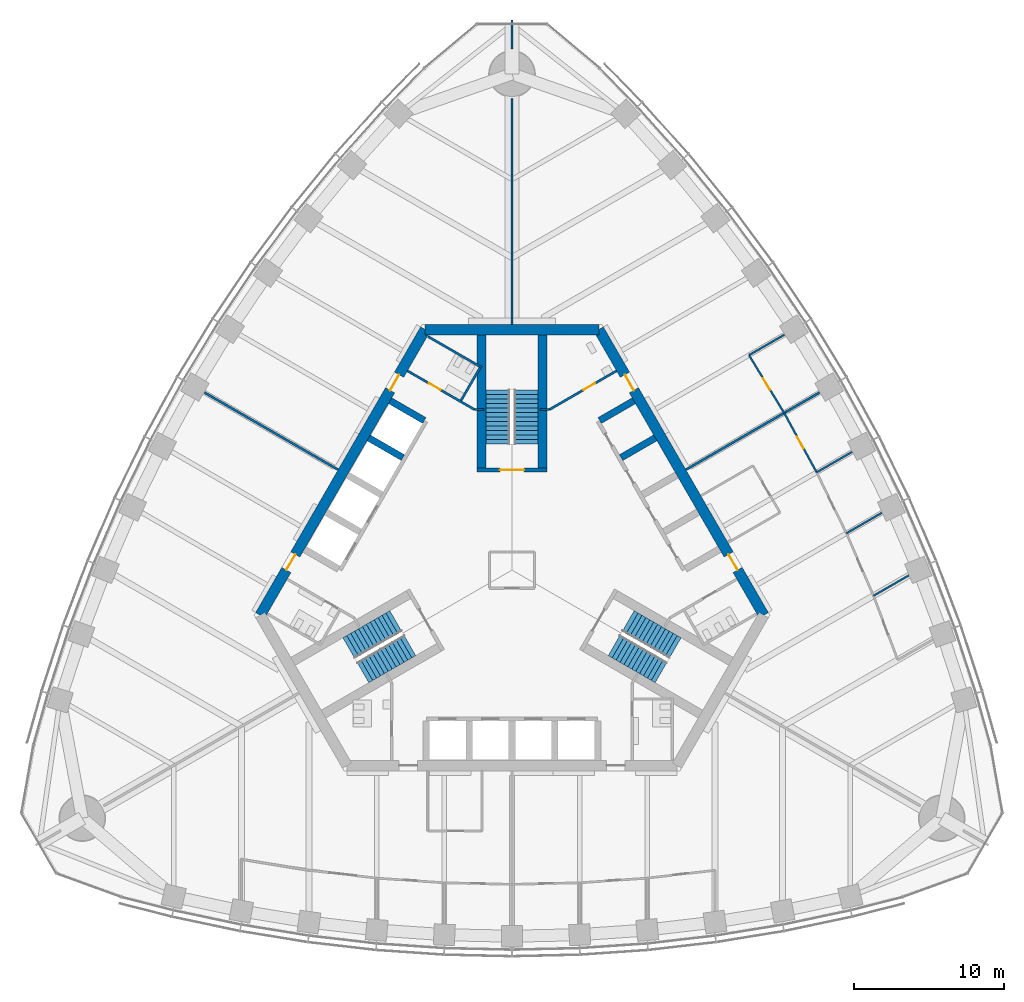
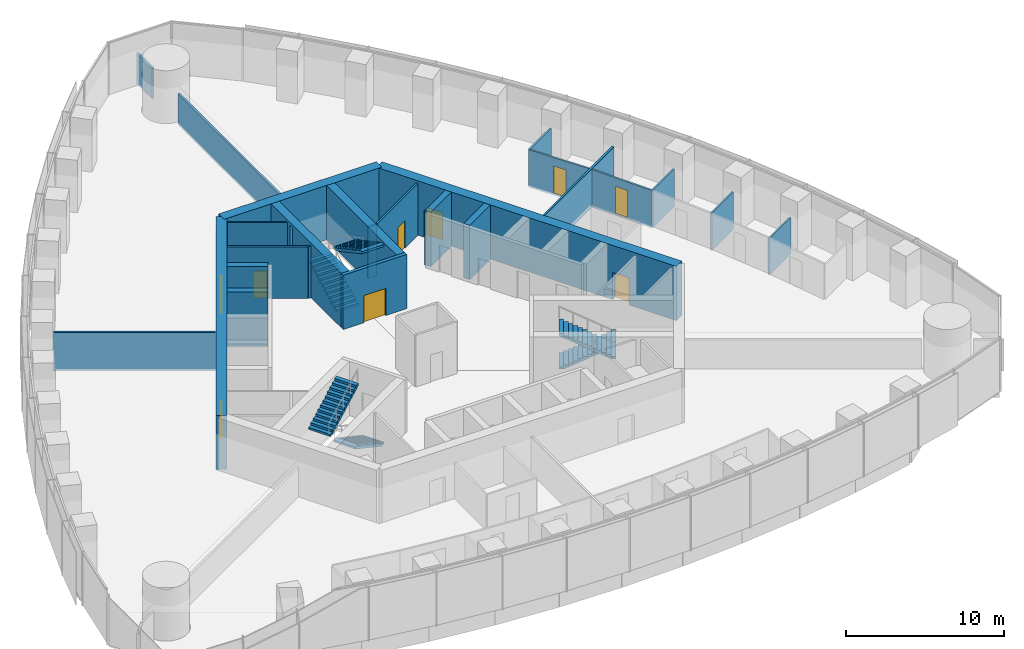
# One storey, part 13 of 18: 26 walls, 9 doors, 6 stair flights, 9 openings, 3 elements without a shape of their own.
"""IFC4 building model written with IfcOpenShell, lengths in metres."""

from ifc_helpers import new_model, si_unit, direction, frame, frame_2d, origin, place, context, subcontext, project, spatial, polyline, rectangle, outline, extrude, material, layer, layer_set, type_object, element, fill, aggregate, save


model = new_model("IFC4")

# Units and contexts
model_context = context("Model", 3, precision=1e-05, world=origin(), true_north=direction((0.0, 1.0)))
body_context = subcontext(model_context, "Body", "Model", "MODEL_VIEW")
ifc_project = project(units=[si_unit("LENGTHUNIT", "METRE"), si_unit("AREAUNIT", "SQUARE_METRE"), si_unit("VOLUMEUNIT", "CUBIC_METRE"), si_unit("PLANEANGLEUNIT", "RADIAN"), si_unit("MASSUNIT", "GRAM", prefix="KILO")], contexts=[model_context])

# Site, building, storey
site_placement = place(None, origin())
site = spatial("IfcSite", under=ifc_project, at=site_placement, CompositionType="ELEMENT")
building_placement = place(site_placement, origin())
building = spatial("IfcBuilding", under=site, at=building_placement, Name="Trefoil Bronze Tower", CompositionType="ELEMENT")
storey_placement = place(building_placement, frame((0.0, 0.0, 252.699951171875)))
storey = spatial("IfcBuildingStorey", under=building, at=storey_placement, Name="L58", CompositionType="ELEMENT", Elevation=252.699951171875)

# Wall, openings, doors
ifc_material_1 = material(Name="Concrete B80", Category="concrete")
ifc_layer_1 = layer(ifc_material_1, 0.699951171875)
ifc_layer_set_1 = layer_set([ifc_layer_1], Name="Core wall 700")
wall_type_1 = type_object("IfcWallType", Name="Core wall 700", PredefinedType="SHEAR", material=ifc_layer_set_1)
wall_1_placement = place(storey_placement, frame((16.7431640625, -3.0, 0.0), z_axis=(0.0, 0.0, 1.0), x_axis=(-0.500002442456, 0.866023993627, 0.0)))
wall_1 = element("IfcWall", 1, at=wall_1_placement, inside=storey, type_object=wall_type_1, Name="Core long wall 2 L58", PredefinedType="SHEAR", context=body_context, shape_type="SweptSolid", body=[
    extrude(rectangle(XDim=21.939453125, YDim=0.699951171875, at=frame_2d((10.9697265625, 0.0))), origin(), (0.0, 0.0, 1.0), 4.199951171875),
])
opening_1_placement = place(wall_1_placement, frame((17.269775390625, 0.0, 0.0)))
opening_1 = element("IfcOpeningElement", 2, at=opening_1_placement, cuts=wall_1, Name="Opening D2", PredefinedType="OPENING", context=body_context, shape_type="SweptSolid", body=[
    extrude(rectangle(XDim=1.199951171875, YDim=2.10009765625, at=frame_2d((0.60009765625, 1.050048828125))), frame((0.0, 0.35986328125, 0.0), z_axis=(0.0, -1.0, 0.0), x_axis=(1.0, 0.0, 0.0)), (0.0, 0.0, 1.0), 0.719970703125),
])
opening_2_placement = place(wall_1_placement, frame((3.4697265625, 0.0, 0.0)))
opening_2 = element("IfcOpeningElement", 3, at=opening_2_placement, cuts=wall_1, Name="Opening D2", PredefinedType="OPENING", context=body_context, shape_type="SweptSolid", body=[
    extrude(rectangle(XDim=1.199951171875, YDim=2.10009765625, at=frame_2d((0.60009765625, 1.050048828125))), frame((0.0, 0.35986328125, 0.0), z_axis=(0.0, -1.0, 0.0), x_axis=(1.0, 0.0, 0.0)), (0.0, 0.0, 1.0), 0.719970703125),
])
ifc_material_2 = material(Name="Steel door", Category="steel")
door_type_1 = type_object("IfcDoorType", Name="Lobby door 1200", OperationType="SINGLE_SWING_RIGHT", PredefinedType="DOOR", material=ifc_material_2)
door_1_placement = place(opening_1_placement, origin())
door_1 = element("IfcDoor", 4, at=door_1_placement, inside=storey, type_object=door_type_1, Name="Lobby door F2+ L58", OperationType="SINGLE_SWING_RIGHT", OverallHeight=2.10009765625, OverallWidth=1.199951171875, PredefinedType="DOOR", context=body_context, shape_type="SweptSolid", body=[
    extrude(rectangle(XDim=1.199951171875, YDim=2.10009765625, at=frame_2d((0.60009765625, 1.050048828125))), frame((0.0, 0.02490234375, 0.0), z_axis=(0.0, -1.0, 0.0), x_axis=(1.0, 0.0, 0.0)), (0.0, 0.0, 1.0), 0.050048828125),
])
fill(opening_1, door_1)
door_2_placement = place(opening_2_placement, origin())
door_2 = element("IfcDoor", 5, at=door_2_placement, inside=storey, type_object=door_type_1, Name="Lobby door F2- L58", OperationType="SINGLE_SWING_LEFT", OverallHeight=2.10009765625, OverallWidth=1.199951171875, PredefinedType="DOOR", context=body_context, shape_type="SweptSolid", body=[
    extrude(rectangle(XDim=1.199951171875, YDim=2.10009765625, at=frame_2d((0.60009765625, 1.050048828125))), frame((0.0, 0.02490234375, 0.0), z_axis=(0.0, -1.0, 0.0), x_axis=(1.0, 0.0, 0.0)), (0.0, 0.0, 1.0), 0.050048828125),
])
fill(opening_2, door_2)

# Wall
wall_2_placement = place(storey_placement, frame((5.7734375, 16.0, 0.0), z_axis=(0.0, 0.0, 1.0), x_axis=(-1.0, 0.0, 0.0)))
element("IfcWall", 6, at=wall_2_placement, inside=storey, type_object=wall_type_1, Name="Core short wall 2 L58", PredefinedType="SHEAR", context=body_context, shape_type="SweptSolid", body=[
    extrude(rectangle(XDim=11.546875, YDim=0.699951171875, at=frame_2d((5.7734375, 0.0))), origin(), (0.0, 0.0, 1.0), 4.199951171875),
])

# Wall, openings, doors
wall_3_placement = place(storey_placement, frame((-5.7734375, 16.0, 0.0), z_axis=(0.0, 0.0, 1.0), x_axis=(-0.500002442456, -0.866023993627, 0.0)))
wall_3 = element("IfcWall", 7, at=wall_3_placement, inside=storey, type_object=wall_type_1, Name="Core long wall 3 L58", PredefinedType="SHEAR", context=body_context, shape_type="SweptSolid", body=[
    extrude(rectangle(XDim=21.939453125, YDim=0.699951171875, at=frame_2d((10.9697265625, 0.0))), origin(), (0.0, 0.0, 1.0), 4.199951171875),
])
opening_3_placement = place(wall_3_placement, frame((17.269775390625, 0.0, 0.0)))
opening_3 = element("IfcOpeningElement", 8, at=opening_3_placement, cuts=wall_3, Name="Opening D2", PredefinedType="OPENING", context=body_context, shape_type="SweptSolid", body=[
    extrude(rectangle(XDim=1.199951171875, YDim=2.10009765625, at=frame_2d((0.60009765625, 1.050048828125))), frame((0.0, 0.35986328125, 0.0), z_axis=(0.0, -1.0, 0.0), x_axis=(1.0, 0.0, 0.0)), (0.0, 0.0, 1.0), 0.719970703125),
])
opening_4_placement = place(wall_3_placement, frame((3.4697265625, 0.0, 0.0)))
opening_4 = element("IfcOpeningElement", 9, at=opening_4_placement, cuts=wall_3, Name="Opening D2", PredefinedType="OPENING", context=body_context, shape_type="SweptSolid", body=[
    extrude(rectangle(XDim=1.199951171875, YDim=2.10009765625, at=frame_2d((0.60009765625, 1.050048828125))), frame((0.0, 0.35986328125, 0.0), z_axis=(0.0, -1.0, 0.0), x_axis=(1.0, 0.0, 0.0)), (0.0, 0.0, 1.0), 0.719970703125),
])
door_3_placement = place(opening_3_placement, origin())
door_3 = element("IfcDoor", 10, at=door_3_placement, inside=storey, type_object=door_type_1, Name="Lobby door F3+ L58", OperationType="SINGLE_SWING_RIGHT", OverallHeight=2.10009765625, OverallWidth=1.199951171875, PredefinedType="DOOR", context=body_context, shape_type="SweptSolid", body=[
    extrude(rectangle(XDim=1.199951171875, YDim=2.10009765625, at=frame_2d((0.60009765625, 1.050048828125))), frame((0.0, 0.02490234375, 0.0), z_axis=(0.0, -1.0, 0.0), x_axis=(1.0, 0.0, 0.0)), (0.0, 0.0, 1.0), 0.050048828125),
])
fill(opening_3, door_3)
door_4_placement = place(opening_4_placement, origin())
door_4 = element("IfcDoor", 11, at=door_4_placement, inside=storey, type_object=door_type_1, Name="Lobby door F3- L58", OperationType="SINGLE_SWING_LEFT", OverallHeight=2.10009765625, OverallWidth=1.199951171875, PredefinedType="DOOR", context=body_context, shape_type="SweptSolid", body=[
    extrude(rectangle(XDim=1.199951171875, YDim=2.10009765625, at=frame_2d((0.60009765625, 1.050048828125))), frame((0.0, 0.02490234375, 0.0), z_axis=(0.0, -1.0, 0.0), x_axis=(1.0, 0.0, 0.0)), (0.0, 0.0, 1.0), 0.050048828125),
])
fill(opening_4, door_4)

# Wall, opening, door
ifc_material_3 = material(Name="Glazed partition", Category="glass")
ifc_layer_2 = layer(ifc_material_3, 0.1201171875)
ifc_layer_set_2 = layer_set([ifc_layer_2], Name="Glazed partition 120")
wall_type_2 = type_object("IfcWallType", Name="Glazed partition 120", PredefinedType="PARTITIONING", material=ifc_layer_set_2)
wall_4_placement = place(storey_placement, frame((18.1005859375, 10.450439453125, 0.0), z_axis=(0.0, 0.0, 1.0), x_axis=(-0.519790350351, 0.85429385558, 0.0)))
wall_4 = element("IfcWall", 12, at=wall_4_placement, inside=storey, type_object=wall_type_2, Name="Partition F2 L58", PredefinedType="PARTITIONING", context=body_context, shape_type="SweptSolid", body=[
    extrude(rectangle(XDim=4.5009765625, YDim=0.1201171875, at=frame_2d((2.25048828125, 0.0))), origin(), (0.0, 0.0, 1.0), 2.900146484375),
])
opening_5_placement = place(wall_4_placement, frame((1.800048828125, 0.0, 0.14990234375)))
opening_5 = element("IfcOpeningElement", 13, at=opening_5_placement, cuts=wall_4, Name="Opening D8", PredefinedType="OPENING", context=body_context, shape_type="SweptSolid", body=[
    extrude(rectangle(XDim=0.89990234375, YDim=2.10009765625, at=frame_2d((0.449951171875, 1.050048828125))), frame((0.0, 0.070068359375, 0.0), z_axis=(0.0, -1.0, 0.0), x_axis=(1.0, 0.0, 0.0)), (0.0, 0.0, 1.0), 0.14013671875),
])
ifc_material_4 = material(Name="Timber door", Category="wood")
door_type_2 = type_object("IfcDoorType", Name="Office door 900", OperationType="SINGLE_SWING_LEFT", PredefinedType="DOOR", material=ifc_material_4)
door_5_placement = place(opening_5_placement, frame((0.89990234375, 0.0, 0.0), z_axis=(0.0, 0.0, 1.0), x_axis=(-1.0, 0.0, 0.0)))
door_5 = element("IfcDoor", 14, at=door_5_placement, inside=storey, type_object=door_type_2, Name="Office door F2 L58", OperationType="SINGLE_SWING_RIGHT", OverallHeight=2.10009765625, OverallWidth=0.89990234375, PredefinedType="DOOR", context=body_context, shape_type="SweptSolid", body=[
    extrude(rectangle(XDim=0.89990234375, YDim=2.10009765625, at=frame_2d((0.449951171875, 1.050048828125))), frame((0.0, 0.02490234375, 0.0), z_axis=(0.0, -1.0, 0.0), x_axis=(1.0, 0.0, 0.0)), (0.0, 0.0, 1.0), 0.050048828125),
])
fill(opening_5, door_5)

wall_5_placement = place(storey_placement, frame((20.260986328125, 6.50146484375, 0.0), z_axis=(0.0, 0.0, 1.0), x_axis=(-0.479949984371, 0.877295852322, 0.0)))
wall_5 = element("IfcWall", 15, at=wall_5_placement, inside=storey, type_object=wall_type_2, Name="Partition F2 L58", PredefinedType="PARTITIONING", context=body_context, shape_type="SweptSolid", body=[
    extrude(rectangle(XDim=4.501220703125, YDim=0.1201171875, at=frame_2d((2.25048828125, 0.0))), origin(), (0.0, 0.0, 1.0), 2.900146484375),
])
opening_6_placement = place(wall_5_placement, frame((1.800048828125, 0.0, 0.14990234375)))
opening_6 = element("IfcOpeningElement", 16, at=opening_6_placement, cuts=wall_5, Name="Opening D8", PredefinedType="OPENING", context=body_context, shape_type="SweptSolid", body=[
    extrude(rectangle(XDim=0.89990234375, YDim=2.10009765625, at=frame_2d((0.449951171875, 1.050048828125))), frame((0.0, 0.070068359375, 0.0), z_axis=(0.0, -1.0, 0.0), x_axis=(1.0, 0.0, 0.0)), (0.0, 0.0, 1.0), 0.14013671875),
])
door_6_placement = place(opening_6_placement, frame((0.89990234375, 0.0, 0.0), z_axis=(0.0, 0.0, 1.0), x_axis=(-1.0, 0.0, 0.0)))
door_6 = element("IfcDoor", 17, at=door_6_placement, inside=storey, type_object=door_type_2, Name="Office door F2 L58", OperationType="SINGLE_SWING_RIGHT", OverallHeight=2.10009765625, OverallWidth=0.89990234375, PredefinedType="DOOR", context=body_context, shape_type="SweptSolid", body=[
    extrude(rectangle(XDim=0.89990234375, YDim=2.10009765625, at=frame_2d((0.449951171875, 1.050048828125))), frame((0.0, 0.02490234375, 0.0), z_axis=(0.0, -1.0, 0.0), x_axis=(1.0, 0.0, 0.0)), (0.0, 0.0, 1.0), 0.050048828125),
])
fill(opening_6, door_6)

# Walls
wall_6_placement = place(storey_placement, frame((15.760986328125, 14.295654296875, 0.0), z_axis=(0.0, 0.0, 1.0), x_axis=(0.866001628925, 0.500041177004, 0.0)))
element("IfcWall", 18, at=wall_6_placement, inside=storey, type_object=wall_type_2, Name="Partition F2 L58", PredefinedType="PARTITIONING", context=body_context, shape_type="SweptSolid", body=[
    extrude(rectangle(XDim=2.718505859375, YDim=0.1201171875, at=frame_2d((1.359375, 0.0))), origin(), (0.0, 0.0, 1.0), 2.900146484375),
])
wall_7_placement = place(storey_placement, frame((24.041015625, -1.708251953125, 0.0), z_axis=(0.0, 0.0, 1.0), x_axis=(0.866057856029, 0.49994378685, 0.0)))
element("IfcWall", 19, at=wall_7_placement, inside=storey, type_object=wall_type_2, Name="Partition F2 L58", PredefinedType="PARTITIONING", context=body_context, shape_type="SweptSolid", body=[
    extrude(rectangle(XDim=2.705322265625, YDim=0.1201171875, at=frame_2d((1.3525390625, 0.0))), origin(), (0.0, 0.0, 1.0), 2.800048828125),
])
wall_8_placement = place(storey_placement, frame((20.260986328125, 6.50146484375, 0.0), z_axis=(0.0, 0.0, 1.0), x_axis=(0.866040517432, 0.499973821481, 0.0)))
element("IfcWall", 20, at=wall_8_placement, inside=storey, type_object=wall_type_2, Name="Partition F2 L58", PredefinedType="PARTITIONING", context=body_context, shape_type="SweptSolid", body=[
    extrude(rectangle(XDim=2.718505859375, YDim=0.1201171875, at=frame_2d((1.359375, 0.0))), origin(), (0.0, 0.0, 1.0), 2.900146484375),
])
wall_9_placement = place(storey_placement, frame((22.24169921875, 2.448974609375, 0.0), z_axis=(0.0, 0.0, 1.0), x_axis=(0.86604775278, 0.499961288406, 0.0)))
element("IfcWall", 21, at=wall_9_placement, inside=storey, type_object=wall_type_2, Name="Partition F2 L58", PredefinedType="PARTITIONING", context=body_context, shape_type="SweptSolid", body=[
    extrude(rectangle(XDim=2.713623046875, YDim=0.1201171875, at=frame_2d((1.35693359375, 0.0))), origin(), (0.0, 0.0, 1.0), 2.900146484375),
])
ifc_material_5 = material(Name="Concrete B80", Category="concrete")
ifc_layer_3 = layer(ifc_material_5, 0.449951171875)
ifc_layer_set_3 = layer_set([ifc_layer_3], Name="Outrigger shaft wall 450")
wall_type_3 = type_object("IfcWallType", Name="Outrigger shaft wall 450", PredefinedType="SHEAR", material=ifc_layer_set_3)
for number, where, z_axis, x_axis, name in (
    (22, (7.2568359375, 7.480712890625, 0.0), (0.0, 0.0, 1.0), (0.866036909293, 0.499980071345, 0.0), "Lift shaft side wall B3 L58"),
    (23, (5.831787109375, 9.94873046875, 0.0), (0.0, 0.0, 1.0), (0.866036909293, 0.499980071345, 0.0), "Lift shaft side wall B4 L58"),
    (24, (-5.831787109375, 9.94873046875, 0.0), (0.0, 0.0, 1.0), (-0.866036909293, 0.499980071345, 0.0), "Lift shaft side wall C0 L58"),
    (25, (-7.2568359375, 7.480712890625, 0.0), (0.0, 0.0, 1.0), (-0.866036909293, 0.499980071345, 0.0), "Lift shaft side wall C1 L58"),
):
    element("IfcWall", number, at=place(storey_placement, frame(where, z_axis=z_axis, x_axis=x_axis)), inside=storey, type_object=wall_type_3, Name=name, PredefinedType="SHEAR", context=body_context, shape_type="SweptSolid", body=[
        extrude(rectangle(XDim=2.625, YDim=0.449951171875, at=frame_2d((1.3125, 0.0))), origin(), (0.0, 0.0, 1.0), 4.199951171875),
    ])

# Wall, opening, door
ifc_material_6 = material(Name="Gypsum board on steel studs", Category="steel")
ifc_layer_4 = layer(ifc_material_6, 0.14990234375)
ifc_layer_set_4 = layer_set([ifc_layer_4], Name="Partition 150")
wall_type_4 = type_object("IfcWallType", Name="Partition 150", PredefinedType="PARTITIONING", material=ifc_layer_set_4)
wall_10_placement = place(storey_placement, frame((2.4951171875, 10.67822265625, 0.0), z_axis=(0.0, 0.0, 1.0), x_axis=(0.866037967349, 0.499978238636, 0.0)))
wall_10 = element("IfcWall", 26, at=wall_10_placement, inside=storey, type_object=wall_type_4, Name="Passage wall F2+ L58", PredefinedType="PARTITIONING", context=body_context, shape_type="SweptSolid", body=[
    extrude(rectangle(XDim=5.150146484375, YDim=0.14990234375, at=frame_2d((2.5751953125, 0.0))), origin(), (0.0, 0.0, 1.0), 4.0),
])
opening_7_placement = place(wall_10_placement, frame((2.60009765625, 0.0, 0.0)))
opening_7 = element("IfcOpeningElement", 27, at=opening_7_placement, cuts=wall_10, Name="Opening D3", PredefinedType="OPENING", context=body_context, shape_type="SweptSolid", body=[
    extrude(rectangle(XDim=0.89990234375, YDim=2.10009765625, at=frame_2d((0.449951171875, 1.050048828125))), frame((0.0, 0.0849609375, 0.0), z_axis=(0.0, -1.0, 0.0), x_axis=(1.0, 0.0, 0.0)), (0.0, 0.0, 1.0), 0.169921875),
])
ifc_material_7 = material(Name="Timber door", Category="wood")
door_type_3 = type_object("IfcDoorType", Name="WC door 900", OperationType="SINGLE_SWING_LEFT", PredefinedType="DOOR", material=ifc_material_7)
door_7_placement = place(opening_7_placement, origin())
door_7 = element("IfcDoor", 28, at=door_7_placement, inside=storey, type_object=door_type_3, Name="Accessible WC door L58", OperationType="SINGLE_SWING_RIGHT", OverallHeight=2.10009765625, OverallWidth=0.89990234375, PredefinedType="DOOR", context=body_context, shape_type="SweptSolid", body=[
    extrude(rectangle(XDim=0.89990234375, YDim=2.10009765625, at=frame_2d((0.449951171875, 1.050048828125))), frame((0.0, 0.02490234375, 0.0), z_axis=(0.0, -1.0, 0.0), x_axis=(1.0, 0.0, 0.0)), (0.0, 0.0, 1.0), 0.050048828125),
])
fill(opening_7, door_7)

wall_11_placement = place(storey_placement, frame((-2.4951171875, 10.67822265625, 0.0), z_axis=(0.0, 0.0, 1.0), x_axis=(-0.866037967349, 0.499978238636, 0.0)))
wall_11 = element("IfcWall", 29, at=wall_11_placement, inside=storey, type_object=wall_type_4, Name="Passage wall F3- L58", PredefinedType="PARTITIONING", context=body_context, shape_type="SweptSolid", body=[
    extrude(rectangle(XDim=5.150146484375, YDim=0.14990234375, at=frame_2d((2.5751953125, 0.0))), origin(), (0.0, 0.0, 1.0), 4.0),
])
opening_8_placement = place(wall_11_placement, frame((2.60009765625, 0.0, 0.0)))
opening_8 = element("IfcOpeningElement", 30, at=opening_8_placement, cuts=wall_11, Name="Opening D3", PredefinedType="OPENING", context=body_context, shape_type="SweptSolid", body=[
    extrude(rectangle(XDim=0.89990234375, YDim=2.10009765625, at=frame_2d((0.449951171875, 1.050048828125))), frame((0.0, 0.0849609375, 0.0), z_axis=(0.0, -1.0, 0.0), x_axis=(1.0, 0.0, 0.0)), (0.0, 0.0, 1.0), 0.169921875),
])
door_8_placement = place(opening_8_placement, frame((0.89990234375, 0.0, 0.0), z_axis=(0.0, 0.0, 1.0), x_axis=(-1.0, 0.0, 0.0)))
door_8 = element("IfcDoor", 31, at=door_8_placement, inside=storey, type_object=door_type_3, Name="WC (women) door L58", OperationType="SINGLE_SWING_RIGHT", OverallHeight=2.10009765625, OverallWidth=0.89990234375, PredefinedType="DOOR", context=body_context, shape_type="SweptSolid", body=[
    extrude(rectangle(XDim=0.89990234375, YDim=2.10009765625, at=frame_2d((0.449951171875, 1.050048828125))), frame((0.0, 0.02490234375, 0.0), z_axis=(0.0, -1.0, 0.0), x_axis=(1.0, 0.0, 0.0)), (0.0, 0.0, 1.0), 0.050048828125),
])
fill(opening_8, door_8)

# Walls
for number, where, z_axis, x_axis, name in (
    (32, (2.4951171875, 10.67822265625, 0.0), (0.0, 0.0, 1.0), (-1.0, 0.0, 0.0), "WC wall ST2-1 L58"),
    (33, (-2.4951171875, 10.67822265625, 0.0), (0.0, 0.0, 1.0), (1.0, 0.0, 0.0), "WC wall ST2+1 L58"),
):
    element("IfcWall", number, at=place(storey_placement, frame(where, z_axis=z_axis, x_axis=x_axis)), inside=storey, type_object=wall_type_4, Name=name, PredefinedType="PARTITIONING", context=body_context, shape_type="SweptSolid", body=[
        extrude(rectangle(XDim=0.64501953125, YDim=0.14990234375, at=frame_2d((0.322509765625, 0.0))), origin(), (0.0, 0.0, 1.0), 4.0),
    ])
wall_12_placement = place(storey_placement, frame((-2.03125, 13.48193359375, 0.0), z_axis=(0.0, 0.0, 1.0), x_axis=(-0.866050731258, 0.499956128963, 0.0)))
element("IfcWall", 34, at=wall_12_placement, inside=storey, type_object=wall_type_4, Name="WC partition WC (women) L58", PredefinedType="PARTITIONING", context=body_context, shape_type="SweptSolid", body=[
    extrude(rectangle(XDim=4.099853515625, YDim=0.14990234375, at=frame_2d((2.0498046875, 0.0))), origin(), (0.0, 0.0, 1.0), 4.0),
])
wall_13_placement = place(storey_placement, frame((-3.388671875, 11.28076171875, 0.0), z_axis=(0.0, 0.0, 1.0), x_axis=(0.499989096993, 0.866031698547, 0.0)))
element("IfcWall", 35, at=wall_13_placement, inside=storey, type_object=wall_type_4, Name="WC partition WC (women) L58", PredefinedType="PARTITIONING", context=body_context, shape_type="SweptSolid", body=[
    extrude(rectangle(XDim=2.509765625, YDim=0.14990234375, at=frame_2d((1.2548828125, 0.0))), origin(), (0.0, 0.0, 1.0), 4.0),
])
ifc_material_8 = material(Name="Gypsum board on steel studs", Category="steel")
ifc_layer_5 = layer(ifc_material_8, 0.14990234375)
ifc_layer_set_5 = layer_set([ifc_layer_5], Name="Party wall 150")
wall_type_5 = type_object("IfcWallType", Name="Party wall 150", PredefinedType="PARTITIONING", material=ifc_layer_set_5)
wall_14_placement = place(storey_placement, frame((0.0, 16.35009765625, 0.0), z_axis=(0.0, 0.0, 1.0), x_axis=(0.0, 1.0, 0.0)))
element("IfcWall", 36, at=wall_14_placement, inside=storey, type_object=wall_type_5, Name="Party wall K2 L58", PredefinedType="PARTITIONING", context=body_context, shape_type="SweptSolid", body=[
    extrude(rectangle(XDim=15.0, YDim=0.14990234375, at=frame_2d((7.5, 0.0))), origin(), (0.0, 0.0, 1.0), 2.400146484375),
])
wall_15_placement = place(storey_placement, frame((0.0, 34.64990234375, 0.0), z_axis=(0.0, 0.0, 1.0), x_axis=(0.0, 1.0, 0.0)))
element("IfcWall", 37, at=wall_15_placement, inside=storey, type_object=wall_type_5, Name="Party wall K2 L58", PredefinedType="PARTITIONING", context=body_context, shape_type="SweptSolid", body=[
    extrude(rectangle(XDim=1.934814453125, YDim=0.14990234375, at=frame_2d((0.96728515625, 0.0))), origin(), (0.0, 0.0, 1.0), 2.400146484375),
])
for number, where, z_axis, x_axis, name in (
    (38, (11.570068359375, 6.679931640625, 0.0), (0.0, 0.0, 1.0), (0.866023526028, 0.500003252355, 0.0), "Demising wall F2 L58"),
    (39, (-11.570068359375, 6.679931640625, 0.0), (0.0, 0.0, 1.0), (-0.866023526028, 0.500003252355, 0.0), "Demising wall F3 L58"),
):
    element("IfcWall", number, at=place(storey_placement, frame(where, z_axis=z_axis, x_axis=x_axis)), inside=storey, type_object=wall_type_5, Name=name, PredefinedType="PARTITIONING", context=body_context, shape_type="SweptSolid", body=[
        extrude(rectangle(XDim=10.2607421875, YDim=0.14990234375, at=frame_2d((5.13037109375, 0.0))), origin(), (0.0, 0.0, 1.0), 2.991943359375),
    ])

# Wall, opening, door
ifc_material_9 = material(Name="Concrete B80", Category="concrete")
ifc_layer_6 = layer(ifc_material_9, 0.25)
ifc_layer_set_6 = layer_set([ifc_layer_6], Name="Shaft wall 250")
wall_type_6 = type_object("IfcWallType", Name="Shaft wall 250", PredefinedType="SHEAR", material=ifc_layer_set_6)
wall_16_placement = place(storey_placement, frame((2.324951171875, 6.64990234375, 0.0), z_axis=(0.0, 0.0, 1.0), x_axis=(-1.0, 0.0, 0.0)))
wall_16 = element("IfcWall", 40, at=wall_16_placement, inside=storey, type_object=wall_type_6, Name="Stair end wall ST2 L58", PredefinedType="SHEAR", context=body_context, shape_type="SweptSolid", body=[
    extrude(rectangle(XDim=4.64990234375, YDim=0.25, at=frame_2d((2.324951171875, 0.0))), origin(), (0.0, 0.0, 1.0), 4.199951171875),
])
opening_9_placement = place(wall_16_placement, frame((1.52490234375, 0.0, 0.0)))
opening_9 = element("IfcOpeningElement", 41, at=opening_9_placement, cuts=wall_16, Name="Opening D1", PredefinedType="OPENING", context=body_context, shape_type="SweptSolid", body=[
    extrude(rectangle(XDim=1.60009765625, YDim=2.10009765625, at=frame_2d((0.800048828125, 1.050048828125))), frame((0.0, 0.135009765625, 0.0), z_axis=(0.0, -1.0, 0.0), x_axis=(1.0, 0.0, 0.0)), (0.0, 0.0, 1.0), 0.27001953125),
])
ifc_material_10 = material(Name="Steel door", Category="steel")
door_type_4 = type_object("IfcDoorType", Name="Stair door 1600", OperationType="DOUBLE_DOOR_SINGLE_SWING", PredefinedType="DOOR", material=ifc_material_10)
door_9_placement = place(opening_9_placement, frame((1.60009765625, 0.0, 0.0), z_axis=(0.0, 0.0, 1.0), x_axis=(-1.0, 0.0, 0.0)))
door_9 = element("IfcDoor", 42, at=door_9_placement, inside=storey, type_object=door_type_4, Name="Stair door ST2 L58", OperationType="DOUBLE_DOOR_SINGLE_SWING", OverallHeight=2.10009765625, OverallWidth=1.60009765625, PredefinedType="DOOR", context=body_context, shape_type="SweptSolid", body=[
    extrude(rectangle(XDim=1.60009765625, YDim=2.10009765625, at=frame_2d((0.800048828125, 1.050048828125))), frame((0.0, 0.02490234375, 0.0), z_axis=(0.0, -1.0, 0.0), x_axis=(1.0, 0.0, 0.0)), (0.0, 0.0, 1.0), 0.050048828125),
])
fill(opening_9, door_9)

# Walls
ifc_material_11 = material(Name="Concrete B80", Category="concrete")
ifc_layer_7 = layer(ifc_material_11, 0.60009765625)
ifc_layer_set_7 = layer_set([ifc_layer_7], Name="Stair wall 600")
wall_type_7 = type_object("IfcWallType", Name="Stair wall 600", PredefinedType="SHEAR", material=ifc_layer_set_7)
for number, where, z_axis, x_axis, name in (
    (43, (2.02490234375, 6.52490234375, 0.0), (0.0, 0.0, 1.0), (0.0, 1.0, 0.0), "Stair wall ST2 L58"),
    (44, (-2.02490234375, 6.52490234375, 0.0), (0.0, 0.0, 1.0), (0.0, 1.0, 0.0), "Stair wall ST2 L58"),
):
    element("IfcWall", number, at=place(storey_placement, frame(where, z_axis=z_axis, x_axis=x_axis)), inside=storey, type_object=wall_type_7, Name=name, PredefinedType="SHEAR", context=body_context, shape_type="SweptSolid", body=[
        extrude(rectangle(XDim=9.125, YDim=0.60009765625, at=frame_2d((4.5625, 0.0))), origin(), (0.0, 0.0, 1.0), 4.199951171875),
    ])

# Stair, stair flights
ifc_material_12 = material(Name="Precast concrete B80", Category="concrete")
stair_type = type_object("IfcStairType", Name="Exit stair 26 risers", PredefinedType="HALF_TURN_STAIR", material=ifc_material_12)
stair_1_placement = place(storey_placement, origin())
stair_1 = element("IfcStair", 45, at=stair_1_placement, inside=storey, type_object=stair_type, Name="Stair ST1 L58", PredefinedType="HALF_TURN_STAIR")
ifc_material_13 = material(Name="Precast concrete B80", Category="concrete")
stair_flight_type = type_object("IfcStairFlightType", Name="Stair flight 1600", PredefinedType="STRAIGHT", material=ifc_material_13)
stair_flight_1_placement = place(storey_placement, frame((7.728515625, -3.39404296875, 0.0), z_axis=(0.0, 0.0, 1.0), x_axis=(0.866025403784, -0.5, 0.0)))
stair_flight_1 = element("IfcStairFlight", 46, at=stair_flight_1_placement, type_object=stair_flight_type, Name="ST1 flight 1", NumberOfRisers=13, NumberOfTreads=12, PredefinedType="STRAIGHT", RiserHeight=0.161538462, TreadLength=0.3, context=body_context, shape_type="SweptSolid", body=[
    extrude(outline(polyline([(0.0, 0.0), (0.0, 0.16162109375), (0.300048828125, 0.16162109375), (0.300048828125, 0.322998046875), (0.60009765625, 0.322998046875), (0.60009765625, 0.484619140625), (0.89990234375, 0.484619140625), (0.89990234375, 0.646240234375), (1.199951171875, 0.646240234375), (1.199951171875, 0.8076171875), (1.5, 0.8076171875), (1.5, 0.96923828125), (1.800048828125, 0.96923828125), (1.800048828125, 1.130859375), (2.10009765625, 1.130859375), (2.10009765625, 1.292236328125), (2.39990234375, 1.292236328125), (2.39990234375, 1.453857421875), (2.699951171875, 1.453857421875), (2.699951171875, 1.615478515625), (3.0, 1.615478515625), (3.0, 1.77685546875), (3.300048828125, 1.77685546875), (3.300048828125, 1.9384765625), (3.60009765625, 1.9384765625), (3.60009765625, 2.10009765625), (3.60009765625, 1.768310546875), (0.316162109375, 0.0), (0.0, 0.0)])), frame((0.0, 0.800048828125, 0.0), z_axis=(0.0, -1.0, 0.0), x_axis=(1.0, 0.0, 0.0)), (0.0, 0.0, 1.0), 1.60009765625),
])
stair_flight_2_placement = place(storey_placement, frame((9.921142578125, -6.796142578125, 2.10009765625), z_axis=(0.0, 0.0, 1.0), x_axis=(-0.866025403784, 0.5, 0.0)))
stair_flight_2 = element("IfcStairFlight", 47, at=stair_flight_2_placement, type_object=stair_flight_type, Name="ST1 flight 2", NumberOfRisers=13, NumberOfTreads=12, PredefinedType="STRAIGHT", RiserHeight=0.161538462, TreadLength=0.3, context=body_context, shape_type="SweptSolid", body=[
    extrude(outline(polyline([(0.0, 0.0), (0.0, 0.16162109375), (0.300048828125, 0.16162109375), (0.300048828125, 0.322998046875), (0.60009765625, 0.322998046875), (0.60009765625, 0.484619140625), (0.89990234375, 0.484619140625), (0.89990234375, 0.646240234375), (1.199951171875, 0.646240234375), (1.199951171875, 0.8076171875), (1.5, 0.8076171875), (1.5, 0.96923828125), (1.800048828125, 0.96923828125), (1.800048828125, 1.130859375), (2.10009765625, 1.130859375), (2.10009765625, 1.292236328125), (2.39990234375, 1.292236328125), (2.39990234375, 1.453857421875), (2.699951171875, 1.453857421875), (2.699951171875, 1.615478515625), (3.0, 1.615478515625), (3.0, 1.77685546875), (3.300048828125, 1.77685546875), (3.300048828125, 1.9384765625), (3.60009765625, 1.9384765625), (3.60009765625, 2.10009765625), (3.60009765625, 1.768310546875), (0.316162109375, 0.0), (0.0, 0.0)])), frame((0.0, 0.800048828125, 0.0), z_axis=(0.0, -1.0, 0.0), x_axis=(1.0, 0.0, 0.0)), (0.0, 0.0, 1.0), 1.60009765625),
])
aggregate(stair_1, [stair_flight_1, stair_flight_2])

stair_2_placement = place(storey_placement, origin())
stair_2 = element("IfcStair", 48, at=stair_2_placement, inside=storey, type_object=stair_type, Name="Stair ST2 L58", PredefinedType="HALF_TURN_STAIR")
stair_flight_3_placement = place(storey_placement, frame((-0.925048828125, 8.389892578125, 0.0), z_axis=(0.0, 0.0, 1.0), x_axis=(0.0, 1.0, 0.0)))
stair_flight_3 = element("IfcStairFlight", 49, at=stair_flight_3_placement, type_object=stair_flight_type, Name="ST2 flight 1", NumberOfRisers=13, NumberOfTreads=12, PredefinedType="STRAIGHT", RiserHeight=0.161538462, TreadLength=0.3, context=body_context, shape_type="SweptSolid", body=[
    extrude(outline(polyline([(0.0, 0.0), (0.0, 0.16162109375), (0.300048828125, 0.16162109375), (0.300048828125, 0.322998046875), (0.60009765625, 0.322998046875), (0.60009765625, 0.484619140625), (0.89990234375, 0.484619140625), (0.89990234375, 0.646240234375), (1.199951171875, 0.646240234375), (1.199951171875, 0.8076171875), (1.5, 0.8076171875), (1.5, 0.96923828125), (1.800048828125, 0.96923828125), (1.800048828125, 1.130859375), (2.10009765625, 1.130859375), (2.10009765625, 1.292236328125), (2.39990234375, 1.292236328125), (2.39990234375, 1.453857421875), (2.699951171875, 1.453857421875), (2.699951171875, 1.615478515625), (3.0, 1.615478515625), (3.0, 1.77685546875), (3.300048828125, 1.77685546875), (3.300048828125, 1.9384765625), (3.60009765625, 1.9384765625), (3.60009765625, 2.10009765625), (3.60009765625, 1.768310546875), (0.316162109375, 0.0), (0.0, 0.0)])), frame((0.0, 0.800048828125, 0.0), z_axis=(0.0, -1.0, 0.0), x_axis=(1.0, 0.0, 0.0)), (0.0, 0.0, 1.0), 1.60009765625),
])
stair_flight_4_placement = place(storey_placement, frame((0.925048828125, 11.989990234375, 2.10009765625), z_axis=(0.0, 0.0, 1.0), x_axis=(0.0, -1.0, 0.0)))
stair_flight_4 = element("IfcStairFlight", 50, at=stair_flight_4_placement, type_object=stair_flight_type, Name="ST2 flight 2", NumberOfRisers=13, NumberOfTreads=12, PredefinedType="STRAIGHT", RiserHeight=0.161538462, TreadLength=0.3, context=body_context, shape_type="SweptSolid", body=[
    extrude(outline(polyline([(0.0, 0.0), (0.0, 0.16162109375), (0.300048828125, 0.16162109375), (0.300048828125, 0.322998046875), (0.60009765625, 0.322998046875), (0.60009765625, 0.484619140625), (0.89990234375, 0.484619140625), (0.89990234375, 0.646240234375), (1.199951171875, 0.646240234375), (1.199951171875, 0.8076171875), (1.5, 0.8076171875), (1.5, 0.96923828125), (1.800048828125, 0.96923828125), (1.800048828125, 1.130859375), (2.10009765625, 1.130859375), (2.10009765625, 1.292236328125), (2.39990234375, 1.292236328125), (2.39990234375, 1.453857421875), (2.699951171875, 1.453857421875), (2.699951171875, 1.615478515625), (3.0, 1.615478515625), (3.0, 1.77685546875), (3.300048828125, 1.77685546875), (3.300048828125, 1.9384765625), (3.60009765625, 1.9384765625), (3.60009765625, 2.10009765625), (3.60009765625, 1.768310546875), (0.316162109375, 0.0), (0.0, 0.0)])), frame((0.0, 0.800048828125, 0.0), z_axis=(0.0, -1.0, 0.0), x_axis=(1.0, 0.0, 0.0)), (0.0, 0.0, 1.0), 1.60009765625),
])
aggregate(stair_2, [stair_flight_3, stair_flight_4])

stair_3_placement = place(storey_placement, origin())
stair_3 = element("IfcStair", 51, at=stair_3_placement, inside=storey, type_object=stair_type, Name="Stair ST3 L58", PredefinedType="HALF_TURN_STAIR")
stair_flight_5_placement = place(storey_placement, frame((-6.803466796875, -4.99609375, 0.0), z_axis=(0.0, 0.0, 1.0), x_axis=(-0.866025403784, -0.5, 0.0)))
stair_flight_5 = element("IfcStairFlight", 52, at=stair_flight_5_placement, type_object=stair_flight_type, Name="ST3 flight 1", NumberOfRisers=13, NumberOfTreads=12, PredefinedType="STRAIGHT", RiserHeight=0.161538462, TreadLength=0.3, context=body_context, shape_type="SweptSolid", body=[
    extrude(outline(polyline([(0.0, 0.0), (0.0, 0.16162109375), (0.300048828125, 0.16162109375), (0.300048828125, 0.322998046875), (0.60009765625, 0.322998046875), (0.60009765625, 0.484619140625), (0.89990234375, 0.484619140625), (0.89990234375, 0.646240234375), (1.199951171875, 0.646240234375), (1.199951171875, 0.8076171875), (1.5, 0.8076171875), (1.5, 0.96923828125), (1.800048828125, 0.96923828125), (1.800048828125, 1.130859375), (2.10009765625, 1.130859375), (2.10009765625, 1.292236328125), (2.39990234375, 1.292236328125), (2.39990234375, 1.453857421875), (2.699951171875, 1.453857421875), (2.699951171875, 1.615478515625), (3.0, 1.615478515625), (3.0, 1.77685546875), (3.300048828125, 1.77685546875), (3.300048828125, 1.9384765625), (3.60009765625, 1.9384765625), (3.60009765625, 2.10009765625), (3.60009765625, 1.768310546875), (0.316162109375, 0.0), (0.0, 0.0)])), frame((0.0, 0.800048828125, 0.0), z_axis=(0.0, -1.0, 0.0), x_axis=(1.0, 0.0, 0.0)), (0.0, 0.0, 1.0), 1.60009765625),
])
stair_flight_6_placement = place(storey_placement, frame((-10.84619140625, -5.19384765625, 2.10009765625), z_axis=(0.0, 0.0, 1.0), x_axis=(0.866025403784, 0.5, 0.0)))
stair_flight_6 = element("IfcStairFlight", 53, at=stair_flight_6_placement, type_object=stair_flight_type, Name="ST3 flight 2", NumberOfRisers=13, NumberOfTreads=12, PredefinedType="STRAIGHT", RiserHeight=0.161538462, TreadLength=0.3, context=body_context, shape_type="SweptSolid", body=[
    extrude(outline(polyline([(0.0, 0.0), (0.0, 0.16162109375), (0.300048828125, 0.16162109375), (0.300048828125, 0.322998046875), (0.60009765625, 0.322998046875), (0.60009765625, 0.484619140625), (0.89990234375, 0.484619140625), (0.89990234375, 0.646240234375), (1.199951171875, 0.646240234375), (1.199951171875, 0.8076171875), (1.5, 0.8076171875), (1.5, 0.96923828125), (1.800048828125, 0.96923828125), (1.800048828125, 1.130859375), (2.10009765625, 1.130859375), (2.10009765625, 1.292236328125), (2.39990234375, 1.292236328125), (2.39990234375, 1.453857421875), (2.699951171875, 1.453857421875), (2.699951171875, 1.615478515625), (3.0, 1.615478515625), (3.0, 1.77685546875), (3.300048828125, 1.77685546875), (3.300048828125, 1.9384765625), (3.60009765625, 1.9384765625), (3.60009765625, 2.10009765625), (3.60009765625, 1.768310546875), (0.316162109375, 0.0), (0.0, 0.0)])), frame((0.0, 0.800048828125, 0.0), z_axis=(0.0, -1.0, 0.0), x_axis=(1.0, 0.0, 0.0)), (0.0, 0.0, 1.0), 1.60009765625),
])
aggregate(stair_3, [stair_flight_5, stair_flight_6])

save(model, "model.ifc")
